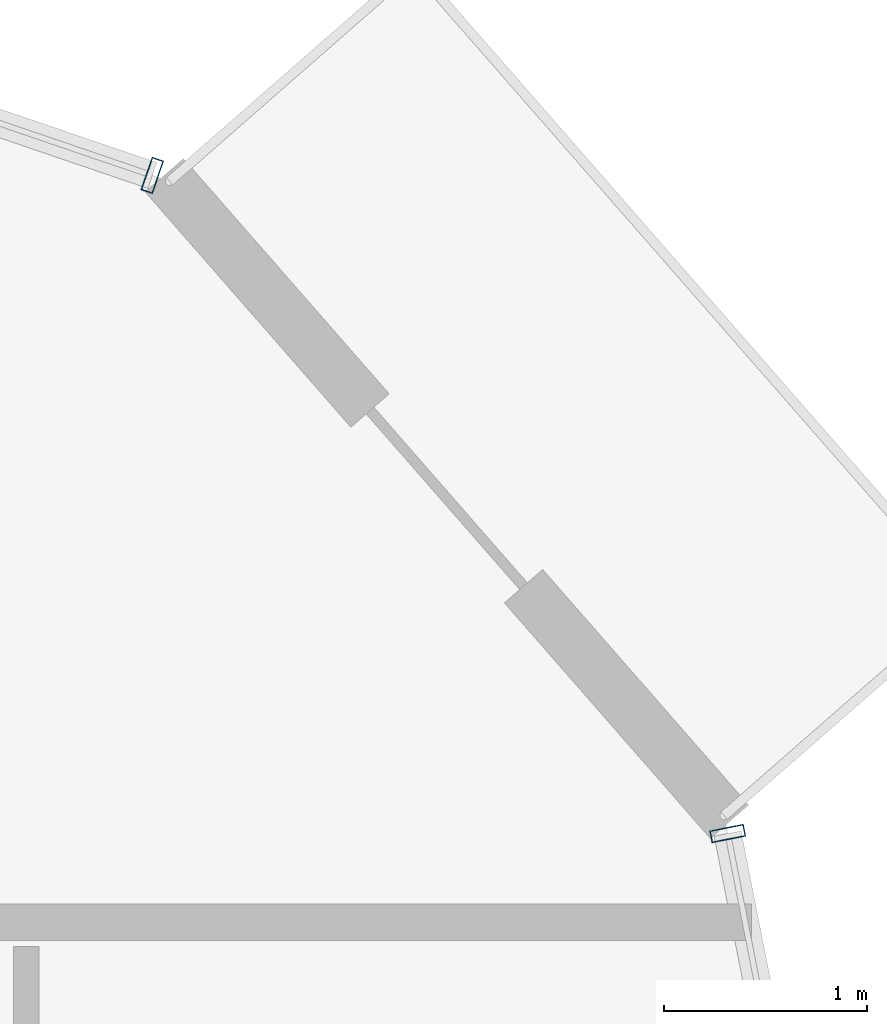
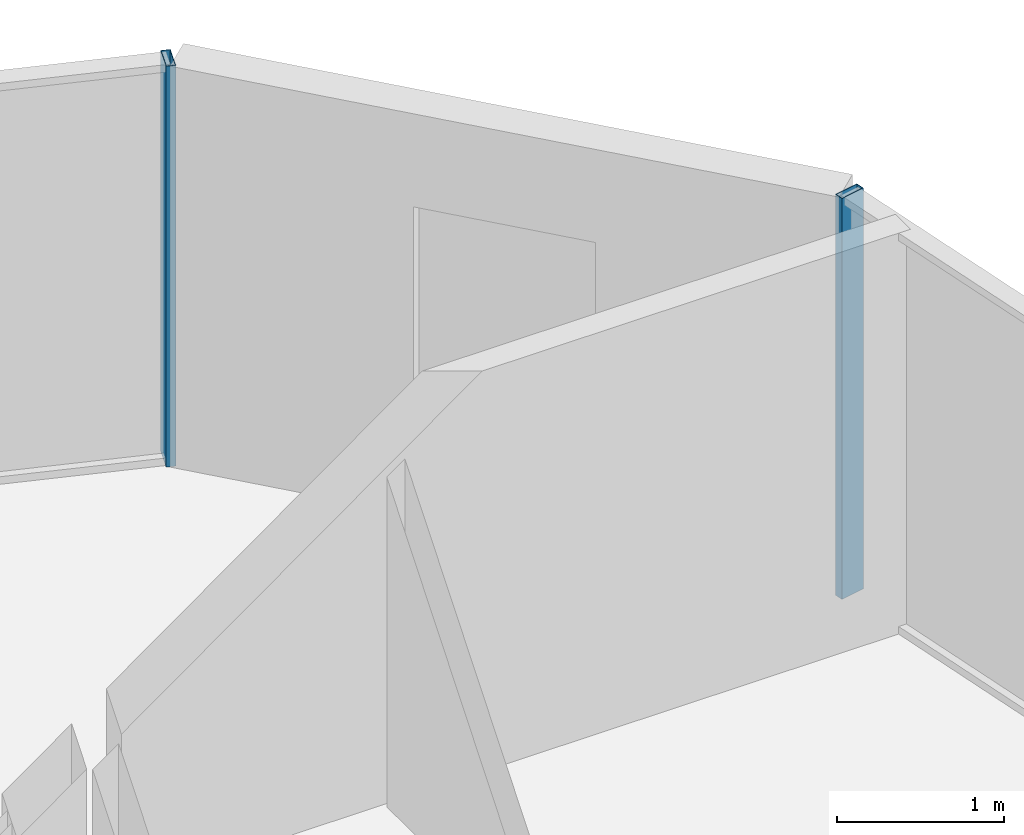
# One storey, part 29 of 36: 2 members, 2 elements without a shape of their own.
"""IFC4 building model written with IfcOpenShell, lengths in metres."""

from ifc_helpers import new_model, si_unit, direction, frame, origin, origin_2d, place, context, subcontext, project, spatial, hollow_rectangle, extrude, source, transform, mapped, material, layer, layer_set, material_profile, profile_set, type_object, element, aggregate, save


model = new_model("IFC4")

# Units and contexts
model_context = context("Model", 3, precision=1e-05, world=origin(), true_north=direction((0.0, 1.0)))
body_context = subcontext(model_context, "Body", "Model", "MODEL_VIEW")
ifc_project = project(units=[si_unit("LENGTHUNIT", "METRE"), si_unit("AREAUNIT", "SQUARE_METRE"), si_unit("VOLUMEUNIT", "CUBIC_METRE"), si_unit("PLANEANGLEUNIT", "RADIAN"), si_unit("MASSUNIT", "GRAM", prefix="KILO")], contexts=[model_context])

# Site, building, storey
site_placement = place(None, origin())
site = spatial("IfcSite", under=ifc_project, at=site_placement, CompositionType="ELEMENT")
building_placement = place(site_placement, origin())
building = spatial("IfcBuilding", under=site, at=building_placement, Name="Veraguas Prism Commons", CompositionType="ELEMENT")
storey_placement = place(building_placement, frame((0.0, 0.0, 166.300048828125)))
storey = spatial("IfcBuildingStorey", under=building, at=storey_placement, Name="L47", CompositionType="ELEMENT", Elevation=166.300048828125)

# Curtain wall, member
ifc_material = material(Name="Anodised aluminium EN AW-6063 T6", Category="aluminium")
ifc_layer = layer(ifc_material, 0.169921875, Name="Unitised Flush Curtain Wall Zone 2", Category="aluminium")
ifc_layer_set = layer_set([ifc_layer], Name="Anodised aluminium EN AW-6063 T6")
curtain_wall_type = type_object("IfcCurtainWallType", Name="Unitised Flush Curtain Wall Zone 2", PredefinedType="NOTDEFINED", material=ifc_layer_set)
curtain_wall_1_placement = place(storey_placement, origin())
curtain_wall_1 = element("IfcCurtainWall", 1, at=curtain_wall_1_placement, inside=storey, type_object=curtain_wall_type, Name="Tower Facade Curtain Wall L47-F1", PredefinedType="NOTDEFINED")
ifc_material_profile = material_profile(ifc_material, hollow_rectangle(XDim=0.06005859375, YDim=0.169921875, WallThickness=0.00390625, at=origin_2d()), Name="AL60X170X4")
ifc_profile_set = profile_set([ifc_material_profile], Name="Anodised aluminium EN AW-6063 T6")
member_type = type_object("IfcMemberType", Name="Curtain Wall Mullion Lower AL 60x170x4", PredefinedType="MULLION", material=ifc_profile_set)
shared_shape = source(origin(), body_context, "Body", "SweptSolid", [
    extrude(hollow_rectangle(XDim=0.06005859375, YDim=0.169921875, WallThickness=0.00390625, at=origin_2d()), origin(), (0.0, 0.0, 1.0), 2.929931640625),
])
member_1_placement = place(storey_placement, frame((38.321533203125, 39.381591796875, 0.0), z_axis=(0.0, 0.0, 1.0), x_axis=(-0.946424609155, 0.322924850679, 0.0)))
member_1 = element("IfcMember", 2, at=member_1_placement, type_object=member_type, Name="CW-Z2 Mullion 1", PredefinedType="MULLION", context=body_context, shape_type="MappedRepresentation", body=[
    mapped(shared_shape, transform((0.0, 0.0, 0.0), scale=1.0)),
])
aggregate(curtain_wall_1, [member_1])

curtain_wall_2_placement = place(storey_placement, origin())
curtain_wall_2 = element("IfcCurtainWall", 3, at=curtain_wall_2_placement, inside=storey, type_object=curtain_wall_type, Name="Tower Facade Curtain Wall L47-F6", PredefinedType="NOTDEFINED")
member_2_placement = place(storey_placement, frame((41.15771484375, 36.137451171875, 0.0), z_axis=(0.0, 0.0, 1.0), x_axis=(-0.193549468051, 0.981090517443, 0.0)))
member_2 = element("IfcMember", 4, at=member_2_placement, type_object=member_type, Name="CW-Z2 Mullion 5", PredefinedType="MULLION", context=body_context, shape_type="MappedRepresentation", body=[
    mapped(shared_shape, transform((0.0, 0.0, 0.0), scale=1.0)),
])
aggregate(curtain_wall_2, [member_2])

save(model, "model.ifc")
